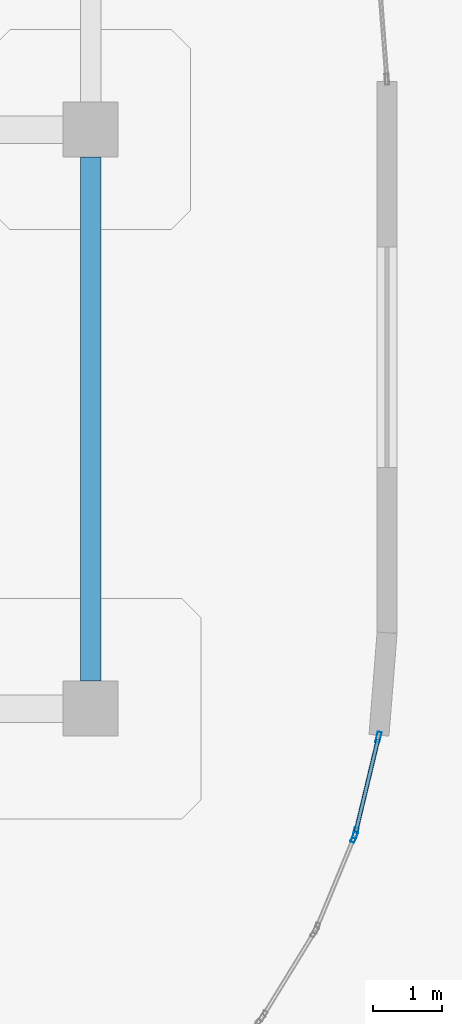
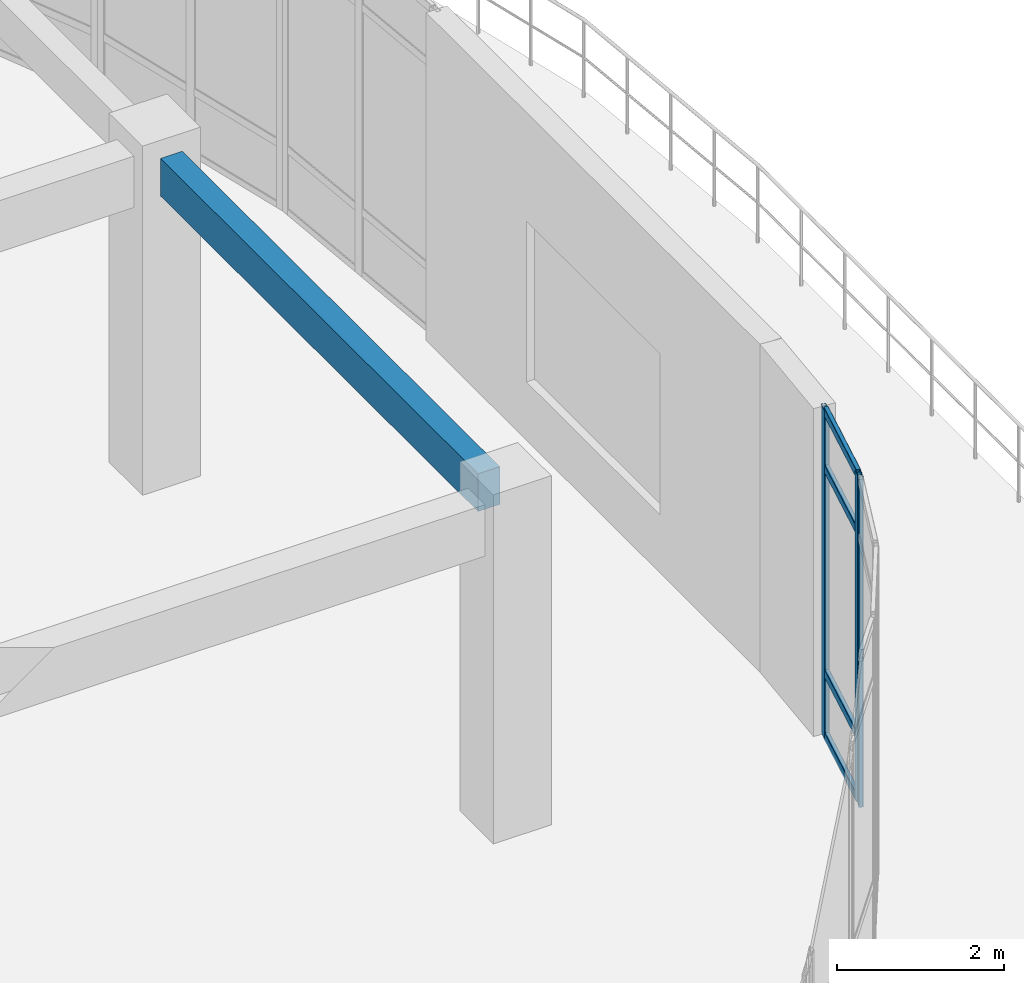
# One storey, part 84 of 124: 7 members, 1 beam, 2 elements without a shape of their own.
"""IFC4 building model written with IfcOpenShell, lengths in metres."""

from ifc_helpers import new_model, si_unit, derived_unit, direction, frame, origin, origin_2d, place, context, subcontext, project, spatial, rectangle, hollow_rectangle, extrude, material, layer, layer_set, material_profile, profile_set, type_object, element, aggregate, save


model = new_model("IFC4")

# Units and contexts
model_context = context("Model", 3, precision=1e-05, world=origin(), true_north=direction((0.0, 1.0)))
body_context = subcontext(model_context, "Body", "Model", "MODEL_VIEW")
ifc_project = project(units=[si_unit("LENGTHUNIT", "METRE"), si_unit("AREAUNIT", "SQUARE_METRE"), si_unit("VOLUMEUNIT", "CUBIC_METRE"), si_unit("PLANEANGLEUNIT", "RADIAN"), si_unit("MASSUNIT", "GRAM", prefix="KILO"), derived_unit("THERMALTRANSMITTANCEUNIT", [(si_unit("MASSUNIT", "GRAM", prefix="KILO"), 1), (si_unit("TIMEUNIT", "SECOND"), -3), (si_unit("THERMODYNAMICTEMPERATUREUNIT", "KELVIN"), -1)])], contexts=[model_context])

# Site, building, storey
site_placement = place(None, origin())
site = spatial("IfcSite", under=ifc_project, at=site_placement, CompositionType="ELEMENT")
building_placement = place(site_placement, origin())
building = spatial("IfcBuilding", under=site, at=building_placement, Name="Qinzheling Arcade Emporium", CompositionType="ELEMENT")
storey_placement = place(building_placement, frame((0.0, 0.0, 16.5)))
storey = spatial("IfcBuildingStorey", under=building, at=storey_placement, Name="L04", CompositionType="ELEMENT", Elevation=16.5)

# Curtain wall, members
ifc_material_1 = material(Name="Anodised aluminium and solar-control double glazing", Category="aluminium")
ifc_layer = layer(ifc_material_1, 0.159912109375, Name="Anodised aluminium and solar-control double glazing", Category="aluminium")
ifc_layer_set = layer_set([ifc_layer], Name="Anodised aluminium and solar-control double glazing")
curtain_wall_type = type_object("IfcCurtainWallType", Name="Curved Ribbon Sales Curtain Wall", PredefinedType="NOTDEFINED", material=ifc_layer_set)
curtain_wall_1_placement = place(storey_placement, origin())
curtain_wall_1 = element("IfcCurtainWall", 1, at=curtain_wall_1_placement, inside=storey, type_object=curtain_wall_type, Name="Curtain Wall CW-L04-274", PredefinedType="NOTDEFINED")
ifc_material_2 = material(Name="Anodised aluminium 6063-T6", Category="aluminium")
ifc_material_profile_1 = material_profile(ifc_material_2, hollow_rectangle(XDim=0.06005859375, YDim=0.159912109375, WallThickness=0.00390625, InnerFilletRadius=0.00390625, OuterFilletRadius=0.008056640625, at=origin_2d()), Name="RHS 160x60x4", Category="aluminium")
ifc_profile_set_1 = profile_set([ifc_material_profile_1], Name="Anodised aluminium 6063-T6")
member_type_1 = type_object("IfcMemberType", Name="Curtain Wall Mullion RHS160x60", PredefinedType="MULLION", material=ifc_profile_set_1)
member_1_placement = place(storey_placement, frame((143.3759765625, 81.784912109375, 0.0), z_axis=(0.0, 0.0, 1.0), x_axis=(0.97238730198, -0.233372952479, 0.0)))
member_1 = element("IfcMember", 2, at=member_1_placement, type_object=member_type_1, Name="CW02 mullion 1", PredefinedType="MULLION", context=body_context, shape_type="SweptSolid", body=[
    extrude(hollow_rectangle(XDim=0.06005859375, YDim=0.159912109375, WallThickness=0.00390625, InnerFilletRadius=0.00390625, OuterFilletRadius=0.008056640625, at=origin_2d()), origin(), (0.0, 0.0, 1.0), 4.7900390625),
])
member_2_placement = place(storey_placement, frame((143.0419921875, 80.39306640625, 0.0), z_axis=(0.0, 0.0, 1.0), x_axis=(0.97238730198, -0.233372952479, 0.0)))
member_2 = element("IfcMember", 3, at=member_2_placement, type_object=member_type_1, Name="CW02 mullion 2", PredefinedType="MULLION", context=body_context, shape_type="SweptSolid", body=[
    extrude(hollow_rectangle(XDim=0.06005859375, YDim=0.159912109375, WallThickness=0.00390625, InnerFilletRadius=0.00390625, OuterFilletRadius=0.008056640625, at=origin_2d()), origin(), (0.0, 0.0, 1.0), 4.7900390625),
])

# Curtain wall, member
curtain_wall_2_placement = place(storey_placement, origin())
curtain_wall_2 = element("IfcCurtainWall", 4, at=curtain_wall_2_placement, inside=storey, type_object=curtain_wall_type, Name="Curtain Wall CW-L04-275", PredefinedType="NOTDEFINED")
member_3_placement = place(storey_placement, frame((143.0234375, 80.336181640625, 0.0), z_axis=(0.0, 0.0, 1.0), x_axis=(0.923967777063, -0.382470321658, 0.0)))
member_3 = element("IfcMember", 5, at=member_3_placement, type_object=member_type_1, Name="CW02 mullion 1", PredefinedType="MULLION", context=body_context, shape_type="SweptSolid", body=[
    extrude(hollow_rectangle(XDim=0.06005859375, YDim=0.159912109375, WallThickness=0.00390625, InnerFilletRadius=0.00390625, OuterFilletRadius=0.008056640625, at=origin_2d()), origin(), (0.0, 0.0, 1.0), 4.7900390625),
])
aggregate(curtain_wall_2, [member_3])

# Member
ifc_material_profile_2 = material_profile(ifc_material_2, hollow_rectangle(XDim=0.06005859375, YDim=0.1201171875, WallThickness=0.00390625, InnerFilletRadius=0.00390625, OuterFilletRadius=0.008056640625, at=origin_2d()), Name="RHS 120x60x4", Category="aluminium")
ifc_profile_set_2 = profile_set([ifc_material_profile_2], Name="Anodised aluminium 6063-T6")
member_type_2 = type_object("IfcMemberType", Name="Curtain Wall Transom RHS120x60", PredefinedType="USERDEFINED", material=ifc_profile_set_2)
member_4_placement = place(storey_placement, frame((143.368896484375, 81.755615234375, 0.030029296875), z_axis=(-0.233265196104, -0.972413157195, 0.0), x_axis=(0.972413157195, -0.233265196104, 0.0)))
member_4 = element("IfcMember", 6, at=member_4_placement, type_object=member_type_2, Name="CW02 transom 1.1", ObjectType="TRANSOM", PredefinedType="USERDEFINED", context=body_context, shape_type="SweptSolid", body=[
    extrude(hollow_rectangle(XDim=0.06005859375, YDim=0.1201171875, WallThickness=0.00390625, InnerFilletRadius=0.00390625, OuterFilletRadius=0.008056640625, at=origin_2d()), origin(), (0.0, 0.0, 1.0), 1.37109375),
])

member_5_placement = place(storey_placement, frame((143.368896484375, 81.755615234375, 0.949951171875), z_axis=(-0.233265196104, -0.972413157195, 0.0), x_axis=(0.972413157195, -0.233265196104, 0.0)))
member_5 = element("IfcMember", 7, at=member_5_placement, type_object=member_type_2, Name="CW02 transom 1.2", ObjectType="TRANSOM", PredefinedType="USERDEFINED", context=body_context, shape_type="SweptSolid", body=[
    extrude(hollow_rectangle(XDim=0.06005859375, YDim=0.1201171875, WallThickness=0.00390625, InnerFilletRadius=0.00390625, OuterFilletRadius=0.008056640625, at=origin_2d()), origin(), (0.0, 0.0, 1.0), 1.37109375),
])

member_6_placement = place(storey_placement, frame((143.368896484375, 81.755615234375, 3.93994140625), z_axis=(-0.233265196104, -0.972413157195, 0.0), x_axis=(0.972413157195, -0.233265196104, 0.0)))
member_6 = element("IfcMember", 8, at=member_6_placement, type_object=member_type_2, Name="CW02 transom 1.3", ObjectType="TRANSOM", PredefinedType="USERDEFINED", context=body_context, shape_type="SweptSolid", body=[
    extrude(hollow_rectangle(XDim=0.06005859375, YDim=0.1201171875, WallThickness=0.00390625, InnerFilletRadius=0.00390625, OuterFilletRadius=0.008056640625, at=origin_2d()), origin(), (0.0, 0.0, 1.0), 1.37109375),
])

member_7_placement = place(storey_placement, frame((143.368896484375, 81.755615234375, 4.760009765625), z_axis=(-0.233265196104, -0.972413157195, 0.0), x_axis=(0.972413157195, -0.233265196104, 0.0)))
member_7 = element("IfcMember", 9, at=member_7_placement, type_object=member_type_2, Name="CW02 transom 1.4", ObjectType="TRANSOM", PredefinedType="USERDEFINED", context=body_context, shape_type="SweptSolid", body=[
    extrude(hollow_rectangle(XDim=0.06005859375, YDim=0.1201171875, WallThickness=0.00390625, InnerFilletRadius=0.00390625, OuterFilletRadius=0.008056640625, at=origin_2d()), origin(), (0.0, 0.0, 1.0), 1.37109375),
])

aggregate(curtain_wall_1, [member_1, member_2, member_4, member_5, member_6, member_7])

# Beam
ifc_material_3 = material(Name="Concrete C40", Category="concrete")
ifc_material_profile_3 = material_profile(ifc_material_3, rectangle(XDim=0.300048828125, YDim=0.550048828125, at=origin_2d()), Name="RC 300x550", Category="concrete")
ifc_profile_set_3 = profile_set([ifc_material_profile_3], Name="Concrete C40")
beam_type = type_object("IfcBeamType", Name="RC Terrace Spandrel Beam 300x550 C40", PredefinedType="SPANDREL", material=ifc_profile_set_3)
beam_placement = place(storey_placement, frame((139.199951171875, 82.60009765625, 4.56005859375), z_axis=(0.0, 1.0, 0.0), x_axis=(-1.0, 0.0, 0.0)))
element("IfcBeam", 10, at=beam_placement, inside=storey, type_object=beam_type, Name="Beam BM-L04-Y-17-K", PredefinedType="SPANDREL", context=body_context, shape_type="SweptSolid", body=[
    extrude(rectangle(XDim=0.300048828125, YDim=0.550048828125, at=origin_2d()), origin(), (0.0, 0.0, 1.0), 7.599853515625),
])

save(model, "model.ifc")
